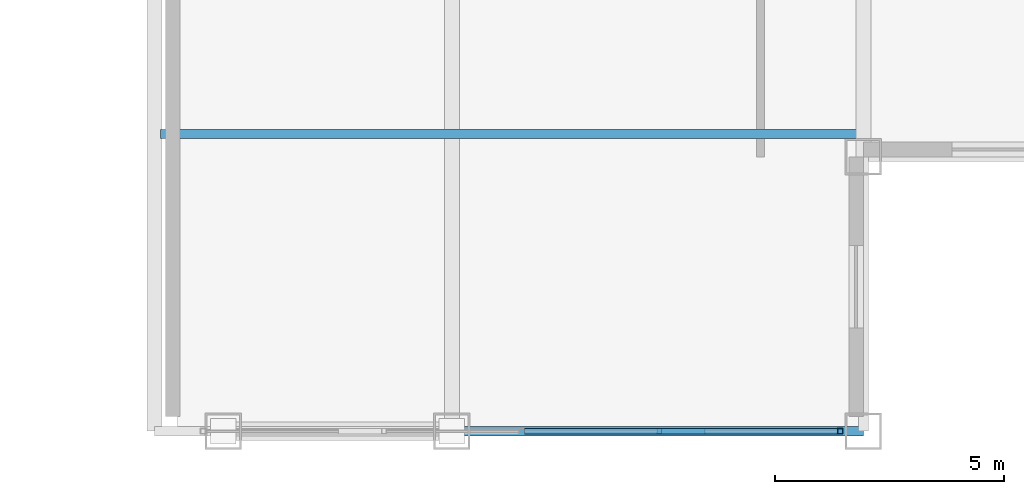
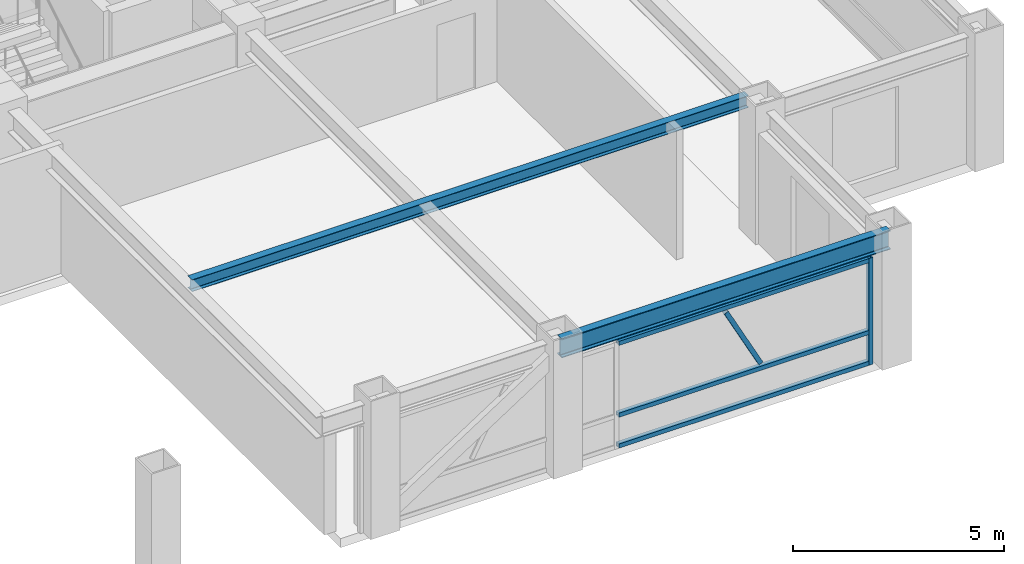
# One storey, part 10 of 29: 5 members, 2 beams, 1 element without a shape of its own.
"""IFC4 building model written with IfcOpenShell, lengths in metres."""

from ifc_helpers import new_model, si_unit, direction, frame, origin, origin_2d, place, context, subcontext, project, spatial, hollow_rectangle, i_section, extrude, source, transform, mapped, material, material_profile, profile_set, type_object, element, aggregate, save


model = new_model("IFC4")

# Units and contexts
model_context = context("Model", 3, precision=1e-05, world=origin(), true_north=direction((0.0, 1.0)))
body_context = subcontext(model_context, "Body", "Model", "MODEL_VIEW")
ifc_project = project(units=[si_unit("LENGTHUNIT", "METRE"), si_unit("AREAUNIT", "SQUARE_METRE"), si_unit("VOLUMEUNIT", "CUBIC_METRE"), si_unit("PLANEANGLEUNIT", "RADIAN"), si_unit("MASSUNIT", "GRAM", prefix="KILO")], contexts=[model_context])

# Site, building, storey
site_placement = place(None, origin())
site = spatial("IfcSite", under=ifc_project, at=site_placement, CompositionType="ELEMENT")
building_placement = place(site_placement, origin())
building = spatial("IfcBuilding", under=site, at=building_placement, Name="Khorayat Bourse Tower", CompositionType="ELEMENT")
storey_placement = place(building_placement, frame((0.0, 0.0, 350.300048828125)))
storey = spatial("IfcBuildingStorey", under=building, at=storey_placement, Name="L83", CompositionType="ELEMENT", Elevation=350.300048828125)

# Beams
ifc_material_1 = material(Name="Steel ASTM A992 Grade 50", Category="steel")
ifc_material_profile_1 = material_profile(ifc_material_1, i_section(OverallWidth=0.214111328125, OverallDepth=0.549072265625, WebThickness=0.0146484375, FlangeThickness=0.023681640625, FilletRadius=0.013916015625, at=origin_2d()), Name="W530X138")
ifc_profile_set_1 = profile_set([ifc_material_profile_1], Name="Steel ASTM A992 Grade 50")
beam_type_1 = type_object("IfcBeamType", Name="BM-SPAN-530", PredefinedType="SPANDREL", material=ifc_profile_set_1)
shared_shape_1 = source(origin(), body_context, "Body", "SweptSolid", [
    extrude(i_section(OverallWidth=0.214111328125, OverallDepth=0.549072265625, WebThickness=0.0146484375, FlangeThickness=0.023681640625, FilletRadius=0.013916015625, at=origin_2d()), origin(), (0.0, 0.0, 1.0), 9.0),
])
beam_1_placement = place(storey_placement, frame((11.0, -26.0, 3.46533203125), z_axis=(1.0, 0.0, 0.0), x_axis=(0.0, 1.0, 0.0)))
element("IfcBeam", 1, at=beam_1_placement, inside=storey, type_object=beam_type_1, Name="L83 BM-SPAN-530 BM-L83-SPN-026", PredefinedType="SPANDREL", context=body_context, shape_type="MappedRepresentation", body=[
    mapped(shared_shape_1, transform((0.0, 0.0, 0.0), scale=1.0)),
])
ifc_material_profile_2 = material_profile(ifc_material_1, i_section(OverallWidth=0.202880859375, OverallDepth=0.346923828125, WebThickness=0.0078125, FlangeThickness=0.013427734375, FilletRadius=0.010009765625, at=origin_2d()), Name="W360X64")
ifc_profile_set_2 = profile_set([ifc_material_profile_2], Name="Steel ASTM A992 Grade 50")
beam_type_2 = type_object("IfcBeamType", Name="BM-JOIST-360", PredefinedType="JOIST", material=ifc_profile_set_2)
shared_shape_2 = source(origin(), body_context, "Body", "SweptSolid", [
    extrude(i_section(OverallWidth=0.202880859375, OverallDepth=0.346923828125, WebThickness=0.0078125, FlangeThickness=0.013427734375, FilletRadius=0.010009765625, at=origin_2d()), origin(), (0.0, 0.0, 1.0), 15.240234375),
])
beam_2_placement = place(storey_placement, frame((4.6298828125, -19.5, 3.56640625), z_axis=(1.0, 0.0, 0.0), x_axis=(0.0, 1.0, 0.0)))
element("IfcBeam", 2, at=beam_2_placement, inside=storey, type_object=beam_type_2, Name="L83 BM-JOIST-360 BM-L83-JSTX-076", PredefinedType="JOIST", context=body_context, shape_type="MappedRepresentation", body=[
    mapped(shared_shape_2, transform((0.0, 0.0, 0.0), scale=1.0)),
])

# Curtain wall, members
ifc_material_2 = material(Name="Aluminium EN AW-6063 T6", Category="aluminium")
curtain_wall_type = type_object("IfcCurtainWallType", Name="CW-SYS-06", PredefinedType="NOTDEFINED", material=ifc_material_2)
curtain_wall_placement = place(storey_placement, origin())
curtain_wall = element("IfcCurtainWall", 3, at=curtain_wall_placement, inside=storey, type_object=curtain_wall_type, Name="L83 Curtain Wall CW-L83-S2", PredefinedType="NOTDEFINED")
ifc_material_profile_3 = material_profile(ifc_material_2, hollow_rectangle(XDim=0.1201171875, YDim=0.1201171875, WallThickness=0.0048828125, at=origin_2d()), Name="ALU 120x120x5")
ifc_profile_set_3 = profile_set([ifc_material_profile_3], Name="Aluminium EN AW-6063 T6")
member_type_1 = type_object("IfcMemberType", Name="CWM-VERT-120", PredefinedType="MULLION", material=ifc_profile_set_3)
shared_shape_3 = source(origin(), body_context, "Body", "SweptSolid", [
    extrude(hollow_rectangle(XDim=0.1201171875, YDim=0.1201171875, WallThickness=0.0048828125, at=origin_2d()), origin(), (0.0, 0.0, 1.0), 3.08984375),
])
member_1_placement = place(storey_placement, frame((19.489990234375, -26.0, 0.0), z_axis=(0.0, 0.0, 1.0), x_axis=(0.0, 1.0, 0.0)))
member_1 = element("IfcMember", 4, at=member_1_placement, type_object=member_type_1, Name="CW-L83-S2 Vertical Mullion 3", PredefinedType="MULLION", context=body_context, shape_type="MappedRepresentation", body=[
    mapped(shared_shape_3, transform((0.0, 0.0, 0.0), scale=1.0)),
])
ifc_material_profile_4 = material_profile(ifc_material_2, hollow_rectangle(XDim=0.1201171875, YDim=0.1201171875, WallThickness=0.0048828125, at=origin_2d()), Name="ALU 120x120x5")
ifc_profile_set_4 = profile_set([ifc_material_profile_4], Name="Aluminium EN AW-6063 T6")
member_type_2 = type_object("IfcMemberType", Name="CWM-DIAG-120", PredefinedType="MULLION", material=ifc_profile_set_4)
shared_shape_4 = source(origin(), body_context, "Body", "SweptSolid", [
    extrude(hollow_rectangle(XDim=0.1201171875, YDim=0.1201171875, WallThickness=0.0048828125, at=origin_2d()), origin(), (0.0, 0.0, 1.0), 2.0341796875),
])
member_2_placement = place(storey_placement, frame((16.481201171875, -26.0, 1.08984375), z_axis=(-0.465696964104, 0.0, 0.884944256789), x_axis=(0.0, -1.0, 0.0)))
member_2 = element("IfcMember", 5, at=member_2_placement, type_object=member_type_2, Name="CW-L83-S2 Faceted Diagonal Mullion 2", PredefinedType="MULLION", context=body_context, shape_type="MappedRepresentation", body=[
    mapped(shared_shape_4, transform((0.0, 0.0, 0.0), scale=1.0)),
])
ifc_material_profile_5 = material_profile(ifc_material_2, hollow_rectangle(XDim=0.1201171875, YDim=0.1201171875, WallThickness=0.0048828125, at=origin_2d()), Name="ALU 120x120x5")
ifc_profile_set_5 = profile_set([ifc_material_profile_5], Name="Aluminium EN AW-6063 T6")
member_type_3 = type_object("IfcMemberType", Name="CWT-HORZ-120", PredefinedType="USERDEFINED", material=ifc_profile_set_5)
shared_shape_5 = source(origin(), body_context, "Body", "SweptSolid", [
    extrude(hollow_rectangle(XDim=0.1201171875, YDim=0.1201171875, WallThickness=0.0048828125, at=origin_2d()), origin(), (0.0, 0.0, 1.0), 6.844970703125),
])
member_3_placement = place(storey_placement, frame((12.5849609375, -26.0, 0.06005859375), z_axis=(1.0, 0.0, 0.0), x_axis=(0.0, 1.0, 0.0)))
member_3 = element("IfcMember", 6, at=member_3_placement, type_object=member_type_3, Name="CW-L83-S2 Horizontal Transom 2-1", ObjectType="TRANSOM", PredefinedType="USERDEFINED", context=body_context, shape_type="MappedRepresentation", body=[
    mapped(shared_shape_5, transform((0.0, 0.0, 0.0), scale=1.0)),
])
member_4_placement = place(storey_placement, frame((12.5849609375, -26.0, 0.949951171875), z_axis=(1.0, 0.0, 0.0), x_axis=(0.0, 1.0, 0.0)))
member_4 = element("IfcMember", 7, at=member_4_placement, type_object=member_type_3, Name="CW-L83-S2 Horizontal Transom 2-2", ObjectType="TRANSOM", PredefinedType="USERDEFINED", context=body_context, shape_type="MappedRepresentation", body=[
    mapped(shared_shape_5, transform((0.0, 0.0, 0.0), scale=1.0)),
])
member_5_placement = place(storey_placement, frame((12.5849609375, -26.0, 3.030029296875), z_axis=(1.0, 0.0, 0.0), x_axis=(0.0, 1.0, 0.0)))
member_5 = element("IfcMember", 8, at=member_5_placement, type_object=member_type_3, Name="CW-L83-S2 Horizontal Transom 2-3", ObjectType="TRANSOM", PredefinedType="USERDEFINED", context=body_context, shape_type="MappedRepresentation", body=[
    mapped(shared_shape_5, transform((0.0, 0.0, 0.0), scale=1.0)),
])
aggregate(curtain_wall, [member_1, member_3, member_4, member_5, member_2])

save(model, "model.ifc")
